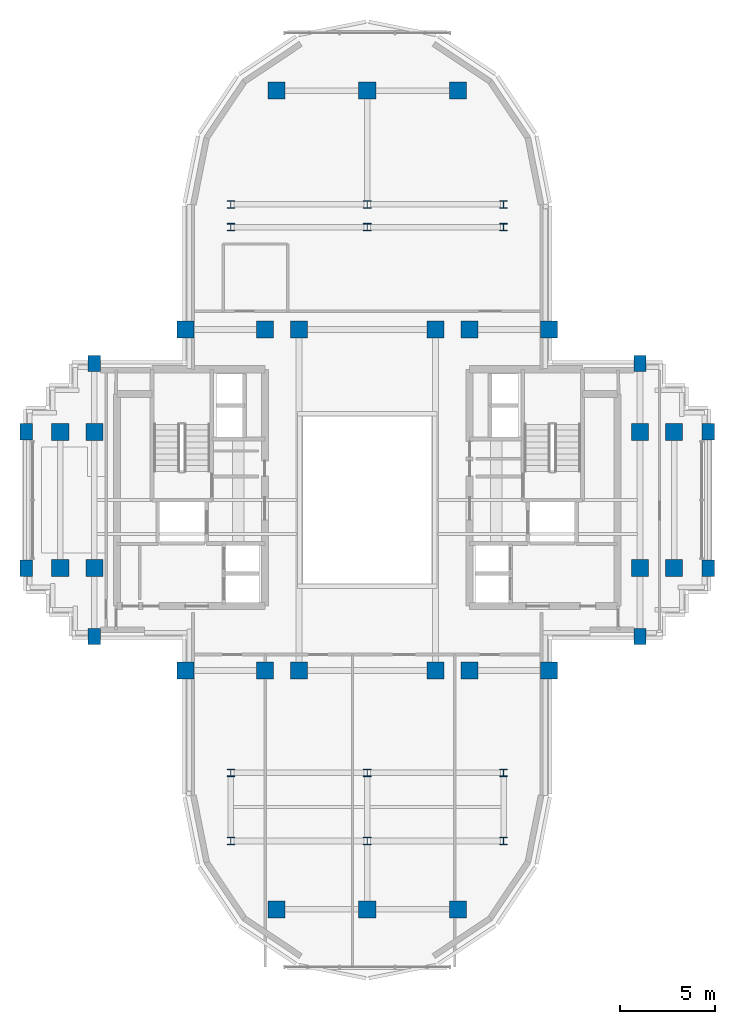
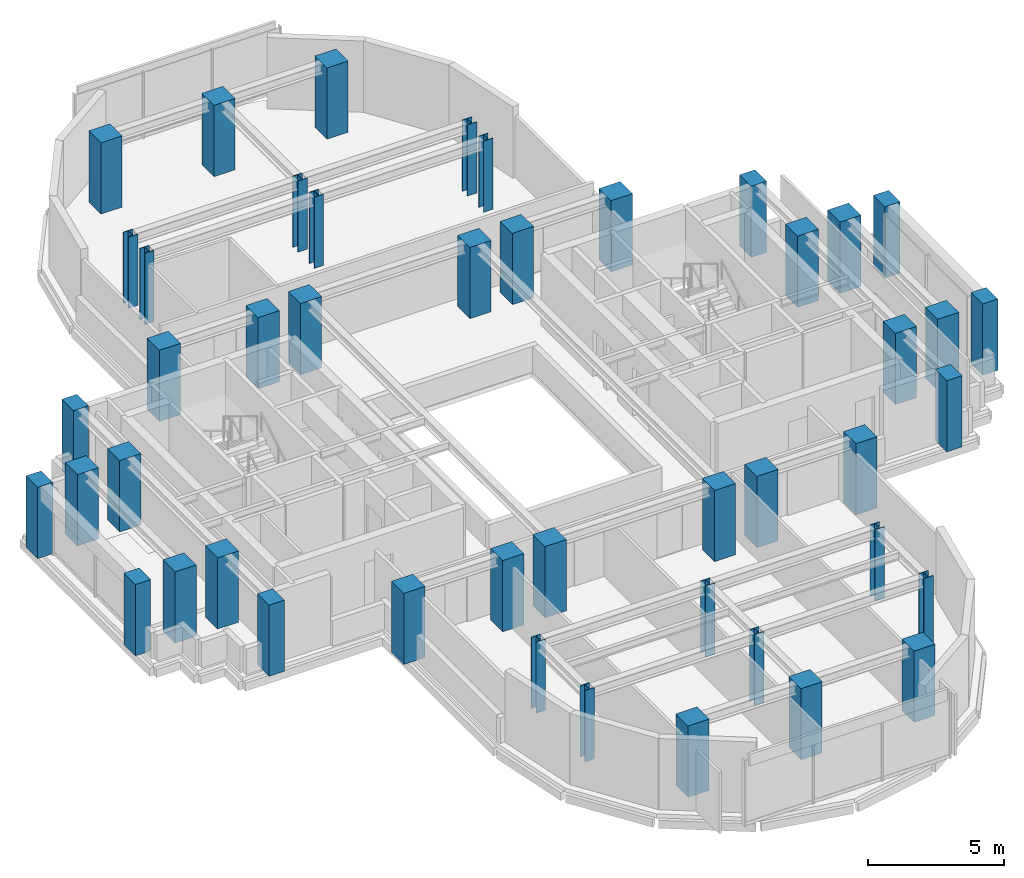
# One storey, part 1 of 11: 46 columns.
"""IFC4 building model written with IfcOpenShell, lengths in metres."""

from ifc_helpers import new_model, si_unit, direction, frame, origin, origin_2d, place, context, subcontext, project, spatial, rectangle, i_section, extrude, source, transform, mapped, material, material_profile, profile_set, type_object, element, save


model = new_model("IFC4")

# Units and contexts
model_context = context("Model", 3, precision=1e-05, world=origin(), true_north=direction((0.0, 1.0)))
body_context = subcontext(model_context, "Body", "Model", "MODEL_VIEW")
ifc_project = project(units=[si_unit("LENGTHUNIT", "METRE"), si_unit("AREAUNIT", "SQUARE_METRE"), si_unit("VOLUMEUNIT", "CUBIC_METRE"), si_unit("PLANEANGLEUNIT", "RADIAN"), si_unit("MASSUNIT", "GRAM", prefix="KILO")], contexts=[model_context])

# Site, building, storey
site_placement = place(None, origin())
site = spatial("IfcSite", under=ifc_project, at=site_placement, CompositionType="ELEMENT")
building_placement = place(site_placement, origin())
building = spatial("IfcBuilding", under=site, at=building_placement, Name="Keilestroom Media Tower", CompositionType="ELEMENT")
storey_placement = place(building_placement, frame((0.0, 0.0, 160.39990234375)))
storey = spatial("IfcBuildingStorey", under=building, at=storey_placement, Name="L43", CompositionType="ELEMENT", Elevation=160.39990234375)

# Columns
ifc_material_1 = material(Name="Precast concrete C40/50", Category="concrete")
ifc_material_profile_1 = material_profile(ifc_material_1, rectangle(XDim=0.64990234375, YDim=0.85009765625, at=origin_2d()), Name="PC 850x650")
ifc_profile_set_1 = profile_set([ifc_material_profile_1], Name="Precast concrete C40/50")
column_type_1 = type_object("IfcColumnType", Name="Structural-Column-PC-850x650", PredefinedType="COLUMN", material=ifc_profile_set_1)
shared_shape_1 = source(origin(), body_context, "Body", "SweptSolid", [
    extrude(rectangle(XDim=0.64990234375, YDim=0.85009765625, at=origin_2d()), origin(), (0.0, 0.0, 1.0), 3.2001953125),
])
for number, where, z_axis, x_axis, name in (
    (1, (-18.0, -3.60009765625, 0.0), (0.0, 0.0, 1.0), (1.0, 0.0, 0.0), "L43 Column PC-2 (-18.0,-3.6)"),
    (2, (-18.0, 3.60009765625, 0.0), (0.0, 0.0, 1.0), (1.0, 0.0, 0.0), "L43 Column PC-2 (-18.0,+3.6)"),
    (3, (-14.39990234375, -7.199951171875, 0.0), (0.0, 0.0, 1.0), (1.0, 0.0, 0.0), "L43 Column PC-2 (-14.4,-7.2)"),
    (4, (-14.39990234375, 7.199951171875, 0.0), (0.0, 0.0, 1.0), (1.0, 0.0, 0.0), "L43 Column PC-2 (-14.4,+7.2)"),
    (5, (14.39990234375, -7.199951171875, 0.0), (0.0, 0.0, 1.0), (1.0, 0.0, 0.0), "L43 Column PC-2 (+14.4,-7.2)"),
    (6, (14.39990234375, 7.199951171875, 0.0), (0.0, 0.0, 1.0), (1.0, 0.0, 0.0), "L43 Column PC-2 (+14.4,+7.2)"),
    (7, (18.0, -3.60009765625, 0.0), (0.0, 0.0, 1.0), (1.0, 0.0, 0.0), "L43 Column PC-2 (+18.0,-3.6)"),
    (8, (18.0, 3.60009765625, 0.0), (0.0, 0.0, 1.0), (1.0, 0.0, 0.0), "L43 Column PC-2 (+18.0,+3.6)"),
):
    element("IfcColumn", number, at=place(storey_placement, frame(where, z_axis=z_axis, x_axis=x_axis)), inside=storey, type_object=column_type_1, Name=name, PredefinedType="COLUMN", context=body_context, shape_type="MappedRepresentation", body=[
        mapped(shared_shape_1, transform((0.0, 0.0, 0.0), x_axis=(1.0, 0.0, 0.0), y_axis=(0.0, 1.0, 0.0), z_axis=(0.0, 0.0, 1.0), scale=1.0)),
    ])
ifc_material_2 = material(Name="Concrete C55/67", Category="concrete")
ifc_material_profile_2 = material_profile(ifc_material_2, rectangle(XDim=0.89990234375, YDim=0.89990234375, at=origin_2d()), Name="RC 900x900")
ifc_profile_set_2 = profile_set([ifc_material_profile_2], Name="Concrete C55/67")
column_type_2 = type_object("IfcColumnType", Name="Structural-Column-RC-900x900", PredefinedType="COLUMN", material=ifc_profile_set_2)
shared_shape_2 = source(origin(), body_context, "Body", "SweptSolid", [
    extrude(rectangle(XDim=0.89990234375, YDim=0.89990234375, at=origin_2d()), origin(), (0.0, 0.0, 1.0), 3.2001953125),
])
for number, where, z_axis, x_axis, name in (
    (9, (-16.199951171875, -3.60009765625, 0.0), (0.0, 0.0, 1.0), (1.0, 0.0, 0.0), "L43 Column MC-4 (-16.2,-3.6)"),
    (10, (-16.199951171875, 3.60009765625, 0.0), (0.0, 0.0, 1.0), (1.0, 0.0, 0.0), "L43 Column MC-4 (-16.2,+3.6)"),
    (11, (-14.39990234375, -3.60009765625, 0.0), (0.0, 0.0, 1.0), (1.0, 0.0, 0.0), "L43 Column MC-4 (-14.4,-3.6)"),
    (12, (-14.39990234375, 3.60009765625, 0.0), (0.0, 0.0, 1.0), (1.0, 0.0, 0.0), "L43 Column MC-4 (-14.4,+3.6)"),
    (13, (-9.60009765625, -9.0, 0.0), (0.0, 0.0, 1.0), (1.0, 0.0, 0.0), "L43 Column MC-4 (-9.6,-9.0)"),
    (14, (-9.60009765625, 9.0, 0.0), (0.0, 0.0, 1.0), (1.0, 0.0, 0.0), "L43 Column MC-4 (-9.6,+9.0)"),
    (15, (-5.39990234375, -9.0, 0.0), (0.0, 0.0, 1.0), (1.0, 0.0, 0.0), "L43 Column MC-4 (-5.4,-9.0)"),
    (16, (-5.39990234375, 9.0, 0.0), (0.0, 0.0, 1.0), (1.0, 0.0, 0.0), "L43 Column MC-4 (-5.4,+9.0)"),
    (17, (-4.800048828125, -21.60009765625, 0.0), (0.0, 0.0, 1.0), (1.0, 0.0, 0.0), "L43 Column MC-4 (-4.8,-21.6)"),
    (18, (-4.800048828125, 21.60009765625, 0.0), (0.0, 0.0, 1.0), (1.0, 0.0, 0.0), "L43 Column MC-4 (-4.8,+21.6)"),
    (19, (-3.60009765625, -9.0, 0.0), (0.0, 0.0, 1.0), (1.0, 0.0, 0.0), "L43 Column MC-4 (-3.6,-9.0)"),
    (20, (-3.60009765625, 9.0, 0.0), (0.0, 0.0, 1.0), (1.0, 0.0, 0.0), "L43 Column MC-4 (-3.6,+9.0)"),
    (21, (0.0, -21.60009765625, 0.0), (0.0, 0.0, 1.0), (1.0, 0.0, 0.0), "L43 Column MC-4 (+0.0,-21.6)"),
    (22, (0.0, 21.60009765625, 0.0), (0.0, 0.0, 1.0), (1.0, 0.0, 0.0), "L43 Column MC-4 (+0.0,+21.6)"),
    (23, (3.60009765625, -9.0, 0.0), (0.0, 0.0, 1.0), (1.0, 0.0, 0.0), "L43 Column MC-4 (+3.6,-9.0)"),
    (24, (3.60009765625, 9.0, 0.0), (0.0, 0.0, 1.0), (1.0, 0.0, 0.0), "L43 Column MC-4 (+3.6,+9.0)"),
    (25, (4.800048828125, -21.60009765625, 0.0), (0.0, 0.0, 1.0), (1.0, 0.0, 0.0), "L43 Column MC-4 (+4.8,-21.6)"),
    (26, (4.800048828125, 21.60009765625, 0.0), (0.0, 0.0, 1.0), (1.0, 0.0, 0.0), "L43 Column MC-4 (+4.8,+21.6)"),
    (27, (5.39990234375, -9.0, 0.0), (0.0, 0.0, 1.0), (1.0, 0.0, 0.0), "L43 Column MC-4 (+5.4,-9.0)"),
    (28, (5.39990234375, 9.0, 0.0), (0.0, 0.0, 1.0), (1.0, 0.0, 0.0), "L43 Column MC-4 (+5.4,+9.0)"),
    (29, (9.60009765625, -9.0, 0.0), (0.0, 0.0, 1.0), (1.0, 0.0, 0.0), "L43 Column MC-4 (+9.6,-9.0)"),
    (30, (9.60009765625, 9.0, 0.0), (0.0, 0.0, 1.0), (1.0, 0.0, 0.0), "L43 Column MC-4 (+9.6,+9.0)"),
    (31, (14.39990234375, -3.60009765625, 0.0), (0.0, 0.0, 1.0), (1.0, 0.0, 0.0), "L43 Column MC-4 (+14.4,-3.6)"),
    (32, (14.39990234375, 3.60009765625, 0.0), (0.0, 0.0, 1.0), (1.0, 0.0, 0.0), "L43 Column MC-4 (+14.4,+3.6)"),
    (33, (16.199951171875, -3.60009765625, 0.0), (0.0, 0.0, 1.0), (1.0, 0.0, 0.0), "L43 Column MC-4 (+16.2,-3.6)"),
    (34, (16.199951171875, 3.60009765625, 0.0), (0.0, 0.0, 1.0), (1.0, 0.0, 0.0), "L43 Column MC-4 (+16.2,+3.6)"),
):
    element("IfcColumn", number, at=place(storey_placement, frame(where, z_axis=z_axis, x_axis=x_axis)), inside=storey, type_object=column_type_2, Name=name, PredefinedType="COLUMN", context=body_context, shape_type="MappedRepresentation", body=[
        mapped(shared_shape_2, transform((0.0, 0.0, 0.0), x_axis=(1.0, 0.0, 0.0), y_axis=(0.0, 1.0, 0.0), z_axis=(0.0, 0.0, 1.0), scale=1.0)),
    ])
ifc_material_3 = material(Name="Steel S355", Category="steel")
ifc_material_profile_3 = material_profile(ifc_material_3, i_section(OverallWidth=0.39794921875, OverallDepth=0.386962890625, WebThickness=0.017578125, FlangeThickness=0.028076171875, at=origin_2d()), Name="HD 400x262")
ifc_profile_set_3 = profile_set([ifc_material_profile_3], Name="Steel S355")
column_type_3 = type_object("IfcColumnType", Name="Structural-Column-HD-400x262", PredefinedType="COLUMN", material=ifc_profile_set_3)
shared_shape_3 = source(origin(), body_context, "Body", "SweptSolid", [
    extrude(i_section(OverallWidth=0.39794921875, OverallDepth=0.386962890625, WebThickness=0.017578125, FlangeThickness=0.028076171875, at=origin_2d()), origin(), (0.0, 0.0, 1.0), 3.2001953125),
])
for number, where, z_axis, x_axis, name in (
    (35, (-7.199951171875, -18.0, 0.0), (0.0, 0.0, 1.0), (1.0, 0.0, 0.0), "L43 Column SC-4 (-7.2,-18.0)"),
    (36, (-7.199951171875, -14.39990234375, 0.0), (0.0, 0.0, 1.0), (1.0, 0.0, 0.0), "L43 Column SC-4 (-7.2,-14.4)"),
    (37, (-7.199951171875, 14.39990234375, 0.0), (0.0, 0.0, 1.0), (1.0, 0.0, 0.0), "L43 Column SC-4 (-7.2,+14.4)"),
    (38, (-7.199951171875, 15.60009765625, 0.0), (0.0, 0.0, 1.0), (1.0, 0.0, 0.0), "L43 Column SC-4 (-7.2,+15.6)"),
    (39, (0.0, -18.0, 0.0), (0.0, 0.0, 1.0), (1.0, 0.0, 0.0), "L43 Column SC-4 (+0.0,-18.0)"),
    (40, (0.0, -14.39990234375, 0.0), (0.0, 0.0, 1.0), (1.0, 0.0, 0.0), "L43 Column SC-4 (+0.0,-14.4)"),
    (41, (0.0, 14.39990234375, 0.0), (0.0, 0.0, 1.0), (1.0, 0.0, 0.0), "L43 Column SC-4 (+0.0,+14.4)"),
    (42, (0.0, 15.60009765625, 0.0), (0.0, 0.0, 1.0), (1.0, 0.0, 0.0), "L43 Column SC-4 (+0.0,+15.6)"),
    (43, (7.199951171875, -18.0, 0.0), (0.0, 0.0, 1.0), (1.0, 0.0, 0.0), "L43 Column SC-4 (+7.2,-18.0)"),
    (44, (7.199951171875, -14.39990234375, 0.0), (0.0, 0.0, 1.0), (1.0, 0.0, 0.0), "L43 Column SC-4 (+7.2,-14.4)"),
    (45, (7.199951171875, 14.39990234375, 0.0), (0.0, 0.0, 1.0), (1.0, 0.0, 0.0), "L43 Column SC-4 (+7.2,+14.4)"),
    (46, (7.199951171875, 15.60009765625, 0.0), (0.0, 0.0, 1.0), (1.0, 0.0, 0.0), "L43 Column SC-4 (+7.2,+15.6)"),
):
    element("IfcColumn", number, at=place(storey_placement, frame(where, z_axis=z_axis, x_axis=x_axis)), inside=storey, type_object=column_type_3, Name=name, PredefinedType="COLUMN", context=body_context, shape_type="MappedRepresentation", body=[
        mapped(shared_shape_3, transform((0.0, 0.0, 0.0), x_axis=(1.0, 0.0, 0.0), y_axis=(0.0, 1.0, 0.0), z_axis=(0.0, 0.0, 1.0), scale=1.0)),
    ])

save(model, "model.ifc")
